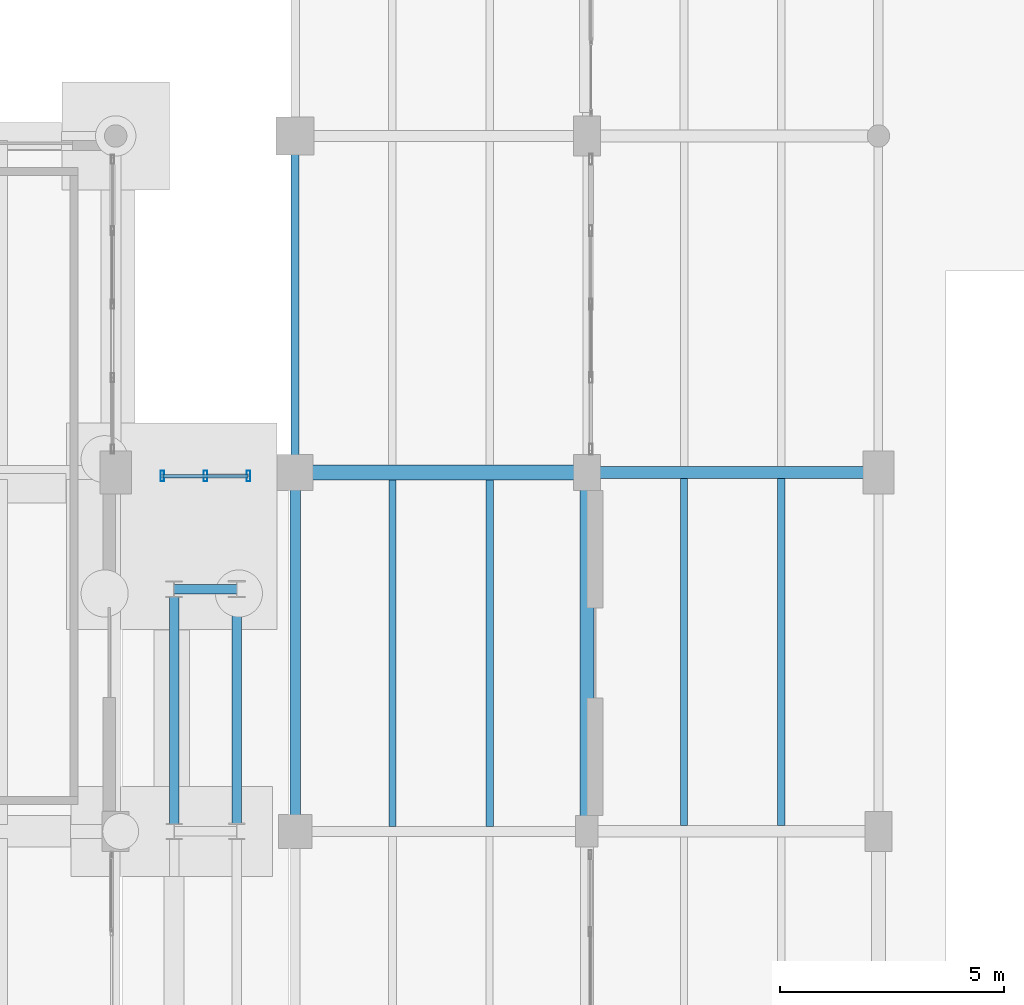
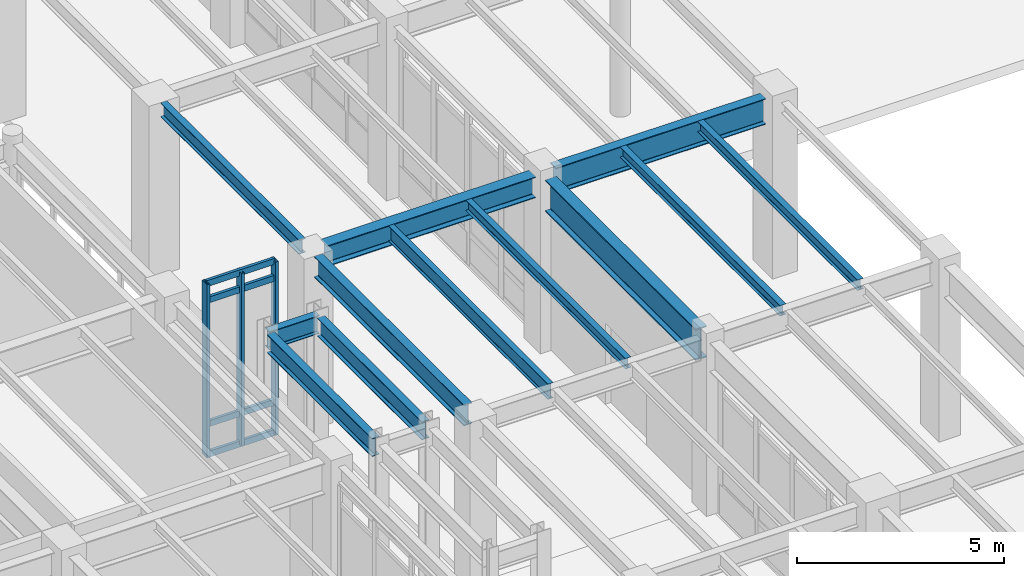
# One storey, part 46 of 203: 12 beams, 7 members, 1 element without a shape of its own.
"""IFC4 building model written with IfcOpenShell, lengths in metres."""

from ifc_helpers import new_model, si_unit, direction, frame, origin, origin_2d, place, context, subcontext, project, spatial, hollow_rectangle, i_section, extrude, material, material_profile, profile_set, type_object, element, aggregate, save


model = new_model("IFC4")

# Units and contexts
model_context = context("Model", 3, precision=1e-05, world=origin(), true_north=direction((0.0, 1.0)))
body_context = subcontext(model_context, "Body", "Model", "MODEL_VIEW")
ifc_project = project(units=[si_unit("LENGTHUNIT", "METRE"), si_unit("AREAUNIT", "SQUARE_METRE"), si_unit("VOLUMEUNIT", "CUBIC_METRE"), si_unit("PLANEANGLEUNIT", "RADIAN"), si_unit("MASSUNIT", "GRAM", prefix="KILO"), si_unit("THERMODYNAMICTEMPERATUREUNIT", "KELVIN"), si_unit("POWERUNIT", "WATT")], contexts=[model_context])

# Site, building, storey
site_placement = place(None, origin())
site = spatial("IfcSite", under=ifc_project, at=site_placement, CompositionType="ELEMENT")
building_placement = place(site_placement, origin())
building = spatial("IfcBuilding", under=site, at=building_placement, Name="Tepalcoro Natatorium and Aquatics Centre", CompositionType="ELEMENT")
storey_placement = place(building_placement, origin())
storey = spatial("IfcBuildingStorey", under=building, at=storey_placement, Name="L00", CompositionType="ELEMENT", Elevation=0.0)

# Beams
ifc_material_1 = material(Name="Steel ASTM A992 Grade 50 (Fy 345 MPa)", Category="steel")
ifc_material_profile_1 = material_profile(ifc_material_1, i_section(OverallWidth=0.2109375, OverallDepth=0.5380859375, WebThickness=0.011962890625, FlangeThickness=0.01904296875, FilletRadius=0.013916015625, at=origin_2d()), Name="W21X73")
ifc_profile_set_1 = profile_set([ifc_material_profile_1], Name="Steel ASTM A992 Grade 50 (Fy 345 MPa)")
beam_type_1 = type_object("IfcBeamType", Name="BM_LINK_LB1", PredefinedType="BEAM", material=ifc_profile_set_1)
beam_1_placement = place(storey_placement, frame((37.300048828125, 41.39990234375, 4.89599609375), z_axis=(1.0, 0.0, 0.0), x_axis=(0.0, 1.0, 0.0)))
element("IfcBeam", 1, at=beam_1_placement, inside=storey, type_object=beam_type_1, Name="Seismic passage link beam LB1 (V6W L00)", PredefinedType="BEAM", context=body_context, shape_type="SweptSolid", body=[
    extrude(i_section(OverallWidth=0.2109375, OverallDepth=0.5380859375, WebThickness=0.011962890625, FlangeThickness=0.01904296875, FilletRadius=0.013916015625, at=origin_2d()), origin(), (0.0, 0.0, 1.0), 1.39990234375),
])
beam_2_placement = place(storey_placement, frame((37.300048828125, 36.156982421875, 4.89599609375), z_axis=(0.0, 1.0, 0.0), x_axis=(-1.0, 0.0, 0.0)))
element("IfcBeam", 2, at=beam_2_placement, inside=storey, type_object=beam_type_1, Name="Seismic passage link beam LB1 (V6W L00)", PredefinedType="BEAM", context=body_context, shape_type="SweptSolid", body=[
    extrude(i_section(OverallWidth=0.2109375, OverallDepth=0.5380859375, WebThickness=0.011962890625, FlangeThickness=0.01904296875, FilletRadius=0.013916015625, at=origin_2d()), origin(), (0.0, 0.0, 1.0), 5.080078125),
])
beam_3_placement = place(storey_placement, frame((38.699951171875, 36.1630859375, 4.89599609375), z_axis=(0.0, 1.0, 0.0), x_axis=(-1.0, 0.0, 0.0)))
element("IfcBeam", 3, at=beam_3_placement, inside=storey, type_object=beam_type_1, Name="Seismic passage link beam LB1 (V6W L00)", PredefinedType="BEAM", context=body_context, shape_type="SweptSolid", body=[
    extrude(i_section(OverallWidth=0.2109375, OverallDepth=0.5380859375, WebThickness=0.011962890625, FlangeThickness=0.01904296875, FilletRadius=0.013916015625, at=origin_2d()), origin(), (0.0, 0.0, 1.0), 5.06982421875),
])
ifc_material_profile_2 = material_profile(ifc_material_1, i_section(OverallWidth=0.324951171875, OverallDepth=0.616943359375, WebThickness=0.013916015625, FlangeThickness=0.02197265625, FilletRadius=0.013916015625, at=origin_2d()), Name="W24X117")
ifc_profile_set_2 = profile_set([ifc_material_profile_2], Name="Steel ASTM A992 Grade 50 (Fy 345 MPa)")
beam_type_2 = type_object("IfcBeamType", Name="BM_W24x117", PredefinedType="BEAM", material=ifc_profile_set_2)
beam_4_placement = place(storey_placement, frame((40.385009765625, 44.0, 4.776611328125), z_axis=(1.0, 0.0, 0.0), x_axis=(0.0, 1.0, 0.0)))
element("IfcBeam", 4, at=beam_4_placement, inside=storey, type_object=beam_type_2, Name="V1 L00 Grid Girder X", PredefinedType="BEAM", context=body_context, shape_type="SweptSolid", body=[
    extrude(i_section(OverallWidth=0.324951171875, OverallDepth=0.616943359375, WebThickness=0.013916015625, FlangeThickness=0.02197265625, FilletRadius=0.013916015625, at=origin_2d()), origin(), (0.0, 0.0, 1.0), 5.830078125),
])
ifc_material_profile_3 = material_profile(ifc_material_1, i_section(OverallWidth=0.26708984375, OverallDepth=0.761962890625, WebThickness=0.013916015625, FlangeThickness=0.02197265625, FilletRadius=0.013916015625, at=origin_2d()), Name="W30X116")
ifc_profile_set_3 = profile_set([ifc_material_profile_3], Name="Steel ASTM A992 Grade 50 (Fy 345 MPa)")
beam_type_3 = type_object("IfcBeamType", Name="BM_W30x116", PredefinedType="BEAM", material=ifc_profile_set_3)
beam_5_placement = place(storey_placement, frame((46.784912109375, 44.0, 4.743896484375), z_axis=(1.0, 0.0, 0.0), x_axis=(0.0, 1.0, 0.0)))
element("IfcBeam", 5, at=beam_5_placement, inside=storey, type_object=beam_type_3, Name="V1 L00 Grid Girder X", PredefinedType="BEAM", context=body_context, shape_type="SweptSolid", body=[
    extrude(i_section(OverallWidth=0.26708984375, OverallDepth=0.761962890625, WebThickness=0.013916015625, FlangeThickness=0.02197265625, FilletRadius=0.013916015625, at=origin_2d()), origin(), (0.0, 0.0, 1.0), 5.880126953125),
])
ifc_material_profile_4 = material_profile(ifc_material_1, i_section(OverallWidth=0.31005859375, OverallDepth=0.931884765625, WebThickness=0.02099609375, FlangeThickness=0.034912109375, FilletRadius=0.013916015625, at=origin_2d()), Name="W36X210")
ifc_profile_set_4 = profile_set([ifc_material_profile_4], Name="Steel ASTM A992 Grade 50 (Fy 345 MPa)")
beam_type_4 = type_object("IfcBeamType", Name="BM_W36x210", PredefinedType="BEAM", material=ifc_profile_set_4)
beam_6_placement = place(storey_placement, frame((46.5, 36.3349609375, 4.618896484375), z_axis=(0.0, 1.0, 0.0), x_axis=(-1.0, 0.0, 0.0)))
element("IfcBeam", 6, at=beam_6_placement, inside=storey, type_object=beam_type_4, Name="V1 L00 Grid Girder Y", PredefinedType="BEAM", context=body_context, shape_type="SweptSolid", body=[
    extrude(i_section(OverallWidth=0.31005859375, OverallDepth=0.931884765625, WebThickness=0.02099609375, FlangeThickness=0.034912109375, FilletRadius=0.013916015625, at=origin_2d()), origin(), (0.0, 0.0, 1.0), 7.280029296875),
])

# Curtain wall, members
ifc_material_2 = material(Name="Bronze-Anodised Extruded Aluminium Alloy EN AW-6063 T6", Category="aluminium")
curtain_wall_type = type_object("IfcCurtainWallType", Name="CW_LINK_150", PredefinedType="USERDEFINED", material=ifc_material_2)
curtain_wall_placement = place(storey_placement, origin())
curtain_wall = element("IfcCurtainWall", 7, at=curtain_wall_placement, inside=storey, type_object=curtain_wall_type, Name="West Foyer Seismic Link Glazed Wall N L00", ObjectType="UNITISED STOREFRONT", PredefinedType="USERDEFINED")
ifc_material_profile_5 = material_profile(ifc_material_2, hollow_rectangle(XDim=0.080078125, YDim=0.239990234375, WallThickness=0.0048828125, at=origin_2d()), Name="AL80X240X5")
ifc_profile_set_5 = profile_set([ifc_material_profile_5], Name="Bronze-Anodised Extruded Aluminium Alloy EN AW-6063 T6")
member_type_1 = type_object("IfcMemberType", Name="CW_MUL_80x240", PredefinedType="MULLION", material=ifc_profile_set_5)
member_1_placement = place(storey_placement, frame((37.0400390625, 43.919921875, 0.02001953125), z_axis=(0.0, 0.0, 1.0), x_axis=(1.0, 0.0, 0.0)))
member_1 = element("IfcMember", 8, at=member_1_placement, type_object=member_type_1, Name="CW_LINK_150 Curtain Wall Mullion", PredefinedType="MULLION", context=body_context, shape_type="SweptSolid", body=[
    extrude(hollow_rectangle(XDim=0.080078125, YDim=0.239990234375, WallThickness=0.0048828125, at=origin_2d()), origin(), (0.0, 0.0, 1.0), 5.119873046875),
])
member_2_placement = place(storey_placement, frame((38.0, 43.919921875, 0.02001953125), z_axis=(0.0, 0.0, 1.0), x_axis=(1.0, 0.0, 0.0)))
member_2 = element("IfcMember", 9, at=member_2_placement, type_object=member_type_1, Name="CW_LINK_150 Curtain Wall Mullion", PredefinedType="MULLION", context=body_context, shape_type="SweptSolid", body=[
    extrude(hollow_rectangle(XDim=0.080078125, YDim=0.239990234375, WallThickness=0.0048828125, at=origin_2d()), origin(), (0.0, 0.0, 1.0), 5.119873046875),
])
member_3_placement = place(storey_placement, frame((38.9599609375, 43.919921875, 0.02001953125), z_axis=(0.0, 0.0, 1.0), x_axis=(1.0, 0.0, 0.0)))
member_3 = element("IfcMember", 10, at=member_3_placement, type_object=member_type_1, Name="CW_LINK_150 Curtain Wall Mullion", PredefinedType="MULLION", context=body_context, shape_type="SweptSolid", body=[
    extrude(hollow_rectangle(XDim=0.080078125, YDim=0.239990234375, WallThickness=0.0048828125, at=origin_2d()), origin(), (0.0, 0.0, 1.0), 5.119873046875),
])
ifc_material_profile_6 = material_profile(ifc_material_2, hollow_rectangle(XDim=0.080078125, YDim=0.179931640625, WallThickness=0.0048828125, at=origin_2d()), Name="AL80X180X5")
ifc_profile_set_6 = profile_set([ifc_material_profile_6], Name="Bronze-Anodised Extruded Aluminium Alloy EN AW-6063 T6")
member_type_2 = type_object("IfcMemberType", Name="CW_TRN_80x180", PredefinedType="USERDEFINED", material=ifc_profile_set_6)
member_4_placement = place(storey_placement, frame((37.050048828125, 43.919921875, 0.050048828125), z_axis=(1.0, 0.0, 0.0), x_axis=(0.0, 1.0, 0.0)))
member_4 = element("IfcMember", 11, at=member_4_placement, type_object=member_type_2, Name="CW_LINK_150 Curtain Wall Transom", ObjectType="TRANSOM", PredefinedType="USERDEFINED", context=body_context, shape_type="SweptSolid", body=[
    extrude(hollow_rectangle(XDim=0.080078125, YDim=0.179931640625, WallThickness=0.0048828125, at=origin_2d()), origin(), (0.0, 0.0, 1.0), 1.89990234375),
])
member_5_placement = place(storey_placement, frame((37.050048828125, 43.919921875, 0.949951171875), z_axis=(1.0, 0.0, 0.0), x_axis=(0.0, 1.0, 0.0)))
member_5 = element("IfcMember", 12, at=member_5_placement, type_object=member_type_2, Name="CW_LINK_150 Curtain Wall Transom", ObjectType="TRANSOM", PredefinedType="USERDEFINED", context=body_context, shape_type="SweptSolid", body=[
    extrude(hollow_rectangle(XDim=0.080078125, YDim=0.179931640625, WallThickness=0.0048828125, at=origin_2d()), origin(), (0.0, 0.0, 1.0), 1.89990234375),
])
member_6_placement = place(storey_placement, frame((37.050048828125, 43.919921875, 4.610107421875), z_axis=(1.0, 0.0, 0.0), x_axis=(0.0, 1.0, 0.0)))
member_6 = element("IfcMember", 13, at=member_6_placement, type_object=member_type_2, Name="CW_LINK_150 Curtain Wall Transom", ObjectType="TRANSOM", PredefinedType="USERDEFINED", context=body_context, shape_type="SweptSolid", body=[
    extrude(hollow_rectangle(XDim=0.080078125, YDim=0.179931640625, WallThickness=0.0048828125, at=origin_2d()), origin(), (0.0, 0.0, 1.0), 1.89990234375),
])
member_7_placement = place(storey_placement, frame((37.050048828125, 43.919921875, 5.110107421875), z_axis=(1.0, 0.0, 0.0), x_axis=(0.0, 1.0, 0.0)))
member_7 = element("IfcMember", 14, at=member_7_placement, type_object=member_type_2, Name="CW_LINK_150 Curtain Wall Transom", ObjectType="TRANSOM", PredefinedType="USERDEFINED", context=body_context, shape_type="SweptSolid", body=[
    extrude(hollow_rectangle(XDim=0.080078125, YDim=0.179931640625, WallThickness=0.0048828125, at=origin_2d()), origin(), (0.0, 0.0, 1.0), 1.89990234375),
])
aggregate(curtain_wall, [member_1, member_2, member_3, member_4, member_5, member_6, member_7])

# Beams
ifc_material_profile_7 = material_profile(ifc_material_1, i_section(OverallWidth=0.1650390625, OverallDepth=0.31005859375, WebThickness=0.006103515625, FlangeThickness=0.010009765625, FilletRadius=0.013916015625, at=origin_2d()), Name="W12X26")
ifc_profile_set_7 = profile_set([ifc_material_profile_7], Name="Steel ASTM A992 Grade 50 (Fy 345 MPa)")
beam_type_5 = type_object("IfcBeamType", Name="JS_W12x26", PredefinedType="JOIST", material=ifc_profile_set_7)
beam_7_placement = place(storey_placement, frame((44.333251953125, 36.114990234375, 4.929931640625), z_axis=(0.0, 1.0, 0.0), x_axis=(-1.0, 0.0, 0.0)))
element("IfcBeam", 15, at=beam_7_placement, inside=storey, type_object=beam_type_5, Name="V1 L00 Floor Joist", PredefinedType="JOIST", context=body_context, shape_type="SweptSolid", body=[
    extrude(i_section(OverallWidth=0.1650390625, OverallDepth=0.31005859375, WebThickness=0.006103515625, FlangeThickness=0.010009765625, FilletRadius=0.013916015625, at=origin_2d()), origin(), (0.0, 0.0, 1.0), 7.722412109375),
])
beam_8_placement = place(storey_placement, frame((48.666748046875, 36.126953125, 4.969970703125), z_axis=(0.0, 1.0, 0.0), x_axis=(-1.0, 0.0, 0.0)))
element("IfcBeam", 16, at=beam_8_placement, inside=storey, type_object=beam_type_5, Name="V1 L00 Floor Joist", PredefinedType="JOIST", context=body_context, shape_type="SweptSolid", body=[
    extrude(i_section(OverallWidth=0.1650390625, OverallDepth=0.31005859375, WebThickness=0.006103515625, FlangeThickness=0.010009765625, FilletRadius=0.013916015625, at=origin_2d()), origin(), (0.0, 0.0, 1.0), 7.739501953125),
])
ifc_material_profile_8 = material_profile(ifc_material_1, i_section(OverallWidth=0.1669921875, OverallDepth=0.318115234375, WebThickness=0.008056640625, FlangeThickness=0.012939453125, FilletRadius=0.013916015625, at=origin_2d()), Name="W12X35")
ifc_profile_set_8 = profile_set([ifc_material_profile_8], Name="Steel ASTM A992 Grade 50 (Fy 345 MPa)")
beam_type_6 = type_object("IfcBeamType", Name="JS_W12x35", PredefinedType="JOIST", material=ifc_profile_set_8)
beam_9_placement = place(storey_placement, frame((50.833251953125, 36.126953125, 4.966064453125), z_axis=(0.0, 1.0, 0.0), x_axis=(-1.0, 0.0, 0.0)))
element("IfcBeam", 17, at=beam_9_placement, inside=storey, type_object=beam_type_6, Name="V1 L00 Floor Joist", PredefinedType="JOIST", context=body_context, shape_type="SweptSolid", body=[
    extrude(i_section(OverallWidth=0.1669921875, OverallDepth=0.318115234375, WebThickness=0.008056640625, FlangeThickness=0.012939453125, FilletRadius=0.013916015625, at=origin_2d()), origin(), (0.0, 0.0, 1.0), 7.739501953125),
])
ifc_material_profile_9 = material_profile(ifc_material_1, i_section(OverallWidth=0.153076171875, OverallDepth=0.455078125, WebThickness=0.008056640625, FlangeThickness=0.012939453125, FilletRadius=0.013916015625, at=origin_2d()), Name="W18X40")
ifc_profile_set_9 = profile_set([ifc_material_profile_9], Name="Steel ASTM A992 Grade 50 (Fy 345 MPa)")
beam_type_7 = type_object("IfcBeamType", Name="JS_W18x40", PredefinedType="JOIST", material=ifc_profile_set_9)
beam_10_placement = place(storey_placement, frame((42.166748046875, 36.114990234375, 4.857421875), z_axis=(0.0, 1.0, 0.0), x_axis=(-1.0, 0.0, 0.0)))
element("IfcBeam", 18, at=beam_10_placement, inside=storey, type_object=beam_type_7, Name="V1 L00 Floor Joist", PredefinedType="JOIST", context=body_context, shape_type="SweptSolid", body=[
    extrude(i_section(OverallWidth=0.153076171875, OverallDepth=0.455078125, WebThickness=0.008056640625, FlangeThickness=0.012939453125, FilletRadius=0.013916015625, at=origin_2d()), origin(), (0.0, 0.0, 1.0), 7.722412109375),
])
ifc_material_profile_10 = material_profile(ifc_material_1, i_section(OverallWidth=0.179931640625, OverallDepth=0.4130859375, WebThickness=0.010009765625, FlangeThickness=0.01611328125, FilletRadius=0.013916015625, at=origin_2d()), Name="W16X50")
ifc_profile_set_10 = profile_set([ifc_material_profile_10], Name="Steel ASTM A992 Grade 50 (Fy 345 MPa)")
beam_type_8 = type_object("IfcBeamType", Name="SP_HSS300x200x12", PredefinedType="SPANDREL", material=ifc_profile_set_10)
beam_11_placement = place(storey_placement, frame((40.0, 44.385009765625, 4.87841796875), z_axis=(0.0, 1.0, 0.0), x_axis=(-1.0, 0.0, 0.0)))
element("IfcBeam", 19, at=beam_11_placement, inside=storey, type_object=beam_type_8, Name="V1 L00 Grid Girder Y", PredefinedType="SPANDREL", context=body_context, shape_type="SweptSolid", body=[
    extrude(i_section(OverallWidth=0.179931640625, OverallDepth=0.4130859375, WebThickness=0.010009765625, FlangeThickness=0.01611328125, FilletRadius=0.013916015625, at=origin_2d()), origin(), (0.0, 0.0, 1.0), 6.705078125),
])
ifc_material_profile_11 = material_profile(ifc_material_1, i_section(OverallWidth=0.22900390625, OverallDepth=0.612060546875, WebThickness=0.011962890625, FlangeThickness=0.02001953125, FilletRadius=0.013916015625, at=origin_2d()), Name="W24X84")
ifc_profile_set_11 = profile_set([ifc_material_profile_11], Name="Steel ASTM A992 Grade 50 (Fy 345 MPa)")
beam_type_9 = type_object("IfcBeamType", Name="SP_W24x84", PredefinedType="SPANDREL", material=ifc_profile_set_11)
beam_12_placement = place(storey_placement, frame((40.0, 36.360107421875, 4.779052734375), z_axis=(0.0, 1.0, 0.0), x_axis=(-1.0, 0.0, 0.0)))
element("IfcBeam", 20, at=beam_12_placement, inside=storey, type_object=beam_type_9, Name="V1 L00 Grid Girder Y", PredefinedType="SPANDREL", context=body_context, shape_type="SweptSolid", body=[
    extrude(i_section(OverallWidth=0.22900390625, OverallDepth=0.612060546875, WebThickness=0.011962890625, FlangeThickness=0.02001953125, FilletRadius=0.013916015625, at=origin_2d()), origin(), (0.0, 0.0, 1.0), 7.2548828125),
])

save(model, "model.ifc")
